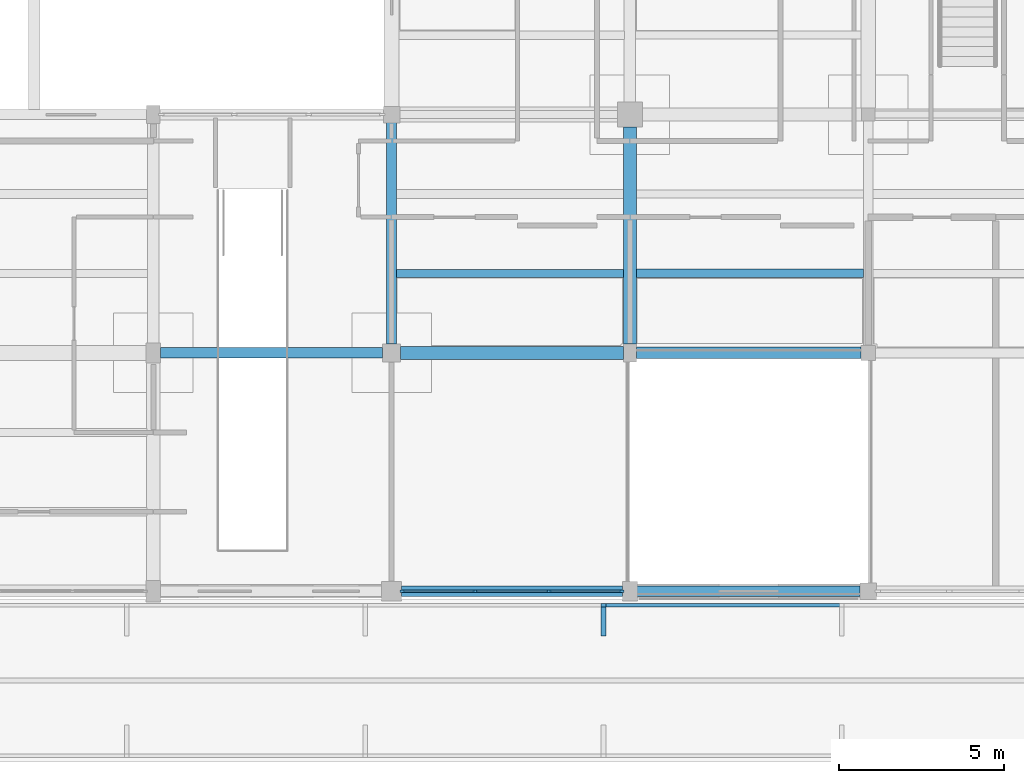
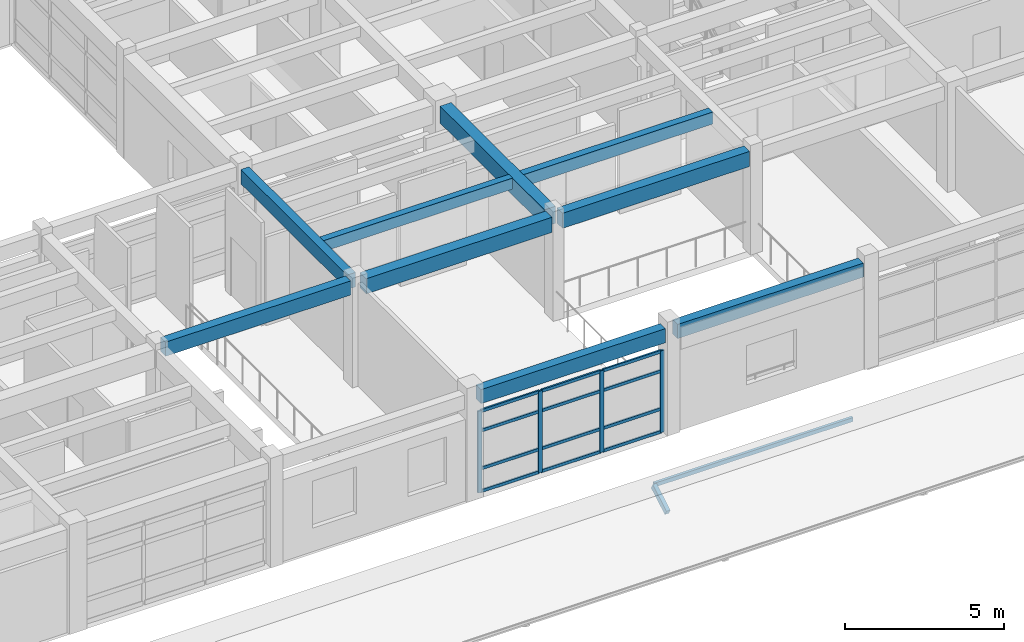
# One storey, part 23 of 110: 18 members, 9 beams, 1 element without a shape of its own.
"""IFC4 building model written with IfcOpenShell, lengths in metres."""

from ifc_helpers import new_model, si_unit, direction, frame, origin, origin_2d, place, context, subcontext, project, spatial, rectangle, hollow_rectangle, extrude, material, material_profile, profile_set, type_object, element, aggregate, save


model = new_model("IFC4")

# Units and contexts
model_context = context("Model", 3, precision=1e-05, world=origin(), true_north=direction((0.0, 1.0)))
body_context = subcontext(model_context, "Body", "Model", "MODEL_VIEW")
ifc_project = project(units=[si_unit("LENGTHUNIT", "METRE"), si_unit("AREAUNIT", "SQUARE_METRE"), si_unit("VOLUMEUNIT", "CUBIC_METRE"), si_unit("PLANEANGLEUNIT", "RADIAN"), si_unit("MASSUNIT", "GRAM", prefix="KILO")], contexts=[model_context])

# Site, building, storey
site_placement = place(None, origin())
site = spatial("IfcSite", under=ifc_project, at=site_placement, CompositionType="ELEMENT")
building_placement = place(site_placement, origin())
building = spatial("IfcBuilding", under=site, at=building_placement, Name="Steenspoor Specialist Clinic", CompositionType="ELEMENT")
storey_placement = place(building_placement, frame((0.0, 0.0, 4.800048828125)))
storey = spatial("IfcBuildingStorey", under=building, at=storey_placement, Name="L01", CompositionType="ELEMENT", Elevation=4.800048828125)

# Beams
ifc_material_1 = material(Name="Concrete C35/45", Category="concrete")
ifc_material_profile_1 = material_profile(ifc_material_1, rectangle(XDim=0.300048828125, YDim=0.550048828125, at=origin_2d()), Name="RC-BM-300X550")
ifc_profile_set_1 = profile_set([ifc_material_profile_1], Name="Concrete C35/45")
beam_type_1 = type_object("IfcBeamType", Name="BM-RC-300X550", PredefinedType="BEAM", material=ifc_profile_set_1)
beam_1_placement = place(storey_placement, frame((74.0, 72.6201171875, 3.675048828125), z_axis=(0.0, 1.0, 0.0), x_axis=(-1.0, 0.0, 0.0)))
element("IfcBeam", 1, at=beam_1_placement, inside=storey, type_object=beam_type_1, Name="BM-V4-L01-Y0537", PredefinedType="BEAM", context=body_context, shape_type="SweptSolid", body=[
    extrude(rectangle(XDim=0.300048828125, YDim=0.550048828125, at=origin_2d()), origin(), (0.0, 0.0, 1.0), 6.684814453125),
])
ifc_material_profile_2 = material_profile(ifc_material_1, rectangle(XDim=0.35009765625, YDim=0.580078125, at=origin_2d()), Name="RC-BM-350X580")
ifc_profile_set_2 = profile_set([ifc_material_profile_2], Name="Concrete C35/45")
beam_type_2 = type_object("IfcBeamType", Name="BM-RC-350X580", PredefinedType="BEAM", material=ifc_profile_set_2)
beam_2_placement = place(storey_placement, frame((81.39501953125, 72.35009765625, 3.659912109375), z_axis=(1.0, 0.0, 0.0), x_axis=(0.0, 1.0, 0.0)))
element("IfcBeam", 2, at=beam_2_placement, inside=storey, type_object=beam_type_2, Name="BM-V4-L01-X0482", PredefinedType="BEAM", context=body_context, shape_type="SweptSolid", body=[
    extrude(rectangle(XDim=0.35009765625, YDim=0.580078125, at=origin_2d()), origin(), (0.0, 0.0, 1.0), 6.784912109375),
])
ifc_material_profile_3 = material_profile(ifc_material_1, rectangle(XDim=0.39990234375, YDim=0.580078125, at=origin_2d()), Name="RC-BM-400X580")
ifc_profile_set_3 = profile_set([ifc_material_profile_3], Name="Concrete C35/45")
beam_type_3 = type_object("IfcBeamType", Name="BM-RC-400X580", PredefinedType="BEAM", material=ifc_profile_set_3)
beam_3_placement = place(storey_placement, frame((74.27001953125, 72.35009765625, 3.659912109375), z_axis=(1.0, 0.0, 0.0), x_axis=(0.0, 1.0, 0.0)))
element("IfcBeam", 3, at=beam_3_placement, inside=storey, type_object=beam_type_3, Name="BM-V4-L01-X0481", PredefinedType="BEAM", context=body_context, shape_type="SweptSolid", body=[
    extrude(rectangle(XDim=0.39990234375, YDim=0.580078125, at=origin_2d()), origin(), (0.0, 0.0, 1.0), 6.73486328125),
])
ifc_material_profile_4 = material_profile(ifc_material_1, rectangle(XDim=0.39990234375, YDim=0.64990234375, at=origin_2d()), Name="RC-BM-400X650")
ifc_profile_set_4 = profile_set([ifc_material_profile_4], Name="Concrete C35/45")
beam_type_4 = type_object("IfcBeamType", Name="BM-RC-400X650", PredefinedType="BEAM", material=ifc_profile_set_4)
beam_4_placement = place(storey_placement, frame((81.199951171875, 72.6201171875, 3.625), z_axis=(0.0, 1.0, 0.0), x_axis=(-1.0, 0.0, 0.0)))
element("IfcBeam", 4, at=beam_4_placement, inside=storey, type_object=beam_type_4, Name="BM-V4-L01-Y0542", PredefinedType="BEAM", context=body_context, shape_type="SweptSolid", body=[
    extrude(rectangle(XDim=0.39990234375, YDim=0.64990234375, at=origin_2d()), origin(), (0.0, 0.0, 1.0), 6.559814453125),
])

# Curtain wall, members
ifc_material_2 = material(Name="Thermally broken aluminium and low-emissivity glass", Category="aluminium")
curtain_wall_type = type_object("IfcCurtainWallType", Name="CW-TYP-300X355", PredefinedType="USERDEFINED", material=ifc_material_2)
curtain_wall_placement = place(storey_placement, origin())
curtain_wall = element("IfcCurtainWall", 5, at=curtain_wall_placement, inside=storey, type_object=curtain_wall_type, Name="Unitised Curtain Wall CW-V4-L01-063", ObjectType="UNITISED GLAZING", PredefinedType="USERDEFINED")
ifc_material_3 = material(Name="Thermally broken aluminium 6063-T6", Category="aluminium")
ifc_material_profile_5 = material_profile(ifc_material_3, rectangle(XDim=0.06494140625, YDim=0.14990234375, at=origin_2d()), Name="CWM-65X150")
ifc_profile_set_5 = profile_set([ifc_material_profile_5], Name="Thermally broken aluminium 6063-T6")
member_type_1 = type_object("IfcMemberType", Name="CW-MULL-65X150", PredefinedType="MULLION", material=ifc_profile_set_5)
member_1_placement = place(storey_placement, frame((80.9423828125, 65.14990234375, 0.0), z_axis=(0.0, 0.0, 1.0), x_axis=(0.0, -1.0, 0.0)))
member_1 = element("IfcMember", 6, at=member_1_placement, type_object=member_type_1, Name="CW-15 mullion 1", PredefinedType="MULLION", context=body_context, shape_type="SweptSolid", body=[
    extrude(rectangle(XDim=0.06494140625, YDim=0.14990234375, at=origin_2d()), origin(), (0.0, 0.0, 1.0), 3.1298828125),
])
member_2_placement = place(storey_placement, frame((78.75, 65.14990234375, 0.0), z_axis=(0.0, 0.0, 1.0), x_axis=(0.0, -1.0, 0.0)))
member_2 = element("IfcMember", 7, at=member_2_placement, type_object=member_type_1, Name="CW-15 mullion 2", PredefinedType="MULLION", context=body_context, shape_type="SweptSolid", body=[
    extrude(rectangle(XDim=0.06494140625, YDim=0.14990234375, at=origin_2d()), origin(), (0.0, 0.0, 1.0), 3.1298828125),
])
member_3_placement = place(storey_placement, frame((76.52490234375, 65.14990234375, 0.0), z_axis=(0.0, 0.0, 1.0), x_axis=(0.0, -1.0, 0.0)))
member_3 = element("IfcMember", 8, at=member_3_placement, type_object=member_type_1, Name="CW-15 mullion 3", PredefinedType="MULLION", context=body_context, shape_type="SweptSolid", body=[
    extrude(rectangle(XDim=0.06494140625, YDim=0.14990234375, at=origin_2d()), origin(), (0.0, 0.0, 1.0), 3.1298828125),
])
member_4_placement = place(storey_placement, frame((74.33251953125, 65.14990234375, 0.0), z_axis=(0.0, 0.0, 1.0), x_axis=(0.0, -1.0, 0.0)))
member_4 = element("IfcMember", 9, at=member_4_placement, type_object=member_type_1, Name="CW-15 mullion 4", PredefinedType="MULLION", context=body_context, shape_type="SweptSolid", body=[
    extrude(rectangle(XDim=0.06494140625, YDim=0.14990234375, at=origin_2d()), origin(), (0.0, 0.0, 1.0), 3.1298828125),
])
ifc_material_profile_6 = material_profile(ifc_material_3, rectangle(XDim=0.06005859375, YDim=0.114990234375, at=origin_2d()), Name="CWT-60X115")
ifc_profile_set_6 = profile_set([ifc_material_profile_6], Name="Thermally broken aluminium 6063-T6")
member_type_2 = type_object("IfcMemberType", Name="CW-TRAN-60X115", PredefinedType="USERDEFINED", material=ifc_profile_set_6)
member_5_placement = place(storey_placement, frame((80.909912109375, 65.14990234375, 0.030029296875), z_axis=(-1.0, 0.0, 0.0), x_axis=(0.0, -1.0, 0.0)))
member_5 = element("IfcMember", 10, at=member_5_placement, type_object=member_type_2, Name="CW-15 transom 1.1", ObjectType="TRANSOM", PredefinedType="USERDEFINED", context=body_context, shape_type="SweptSolid", body=[
    extrude(rectangle(XDim=0.06005859375, YDim=0.114990234375, at=origin_2d()), origin(), (0.0, 0.0, 1.0), 2.12744140625),
])
member_6_placement = place(storey_placement, frame((80.909912109375, 65.14990234375, 0.89990234375), z_axis=(-1.0, 0.0, 0.0), x_axis=(0.0, -1.0, 0.0)))
member_6 = element("IfcMember", 11, at=member_6_placement, type_object=member_type_2, Name="CW-15 transom 1.2", ObjectType="TRANSOM", PredefinedType="USERDEFINED", context=body_context, shape_type="SweptSolid", body=[
    extrude(rectangle(XDim=0.06005859375, YDim=0.114990234375, at=origin_2d()), origin(), (0.0, 0.0, 1.0), 2.12744140625),
])
member_7_placement = place(storey_placement, frame((80.909912109375, 65.14990234375, 2.349853515625), z_axis=(-1.0, 0.0, 0.0), x_axis=(0.0, -1.0, 0.0)))
member_7 = element("IfcMember", 12, at=member_7_placement, type_object=member_type_2, Name="CW-15 transom 1.3", ObjectType="TRANSOM", PredefinedType="USERDEFINED", context=body_context, shape_type="SweptSolid", body=[
    extrude(rectangle(XDim=0.06005859375, YDim=0.114990234375, at=origin_2d()), origin(), (0.0, 0.0, 1.0), 2.12744140625),
])
member_8_placement = place(storey_placement, frame((80.909912109375, 65.14990234375, 3.099853515625), z_axis=(-1.0, 0.0, 0.0), x_axis=(0.0, -1.0, 0.0)))
member_8 = element("IfcMember", 13, at=member_8_placement, type_object=member_type_2, Name="CW-15 transom 1.4", ObjectType="TRANSOM", PredefinedType="USERDEFINED", context=body_context, shape_type="SweptSolid", body=[
    extrude(rectangle(XDim=0.06005859375, YDim=0.114990234375, at=origin_2d()), origin(), (0.0, 0.0, 1.0), 2.12744140625),
])
member_9_placement = place(storey_placement, frame((78.717529296875, 65.14990234375, 0.030029296875), z_axis=(-1.0, 0.0, 0.0), x_axis=(0.0, -1.0, 0.0)))
member_9 = element("IfcMember", 14, at=member_9_placement, type_object=member_type_2, Name="CW-15 transom 2.1", ObjectType="TRANSOM", PredefinedType="USERDEFINED", context=body_context, shape_type="SweptSolid", body=[
    extrude(rectangle(XDim=0.06005859375, YDim=0.114990234375, at=origin_2d()), origin(), (0.0, 0.0, 1.0), 2.159912109375),
])
member_10_placement = place(storey_placement, frame((78.717529296875, 65.14990234375, 0.89990234375), z_axis=(-1.0, 0.0, 0.0), x_axis=(0.0, -1.0, 0.0)))
member_10 = element("IfcMember", 15, at=member_10_placement, type_object=member_type_2, Name="CW-15 transom 2.2", ObjectType="TRANSOM", PredefinedType="USERDEFINED", context=body_context, shape_type="SweptSolid", body=[
    extrude(rectangle(XDim=0.06005859375, YDim=0.114990234375, at=origin_2d()), origin(), (0.0, 0.0, 1.0), 2.159912109375),
])
member_11_placement = place(storey_placement, frame((78.717529296875, 65.14990234375, 2.349853515625), z_axis=(-1.0, 0.0, 0.0), x_axis=(0.0, -1.0, 0.0)))
member_11 = element("IfcMember", 16, at=member_11_placement, type_object=member_type_2, Name="CW-15 transom 2.3", ObjectType="TRANSOM", PredefinedType="USERDEFINED", context=body_context, shape_type="SweptSolid", body=[
    extrude(rectangle(XDim=0.06005859375, YDim=0.114990234375, at=origin_2d()), origin(), (0.0, 0.0, 1.0), 2.159912109375),
])
member_12_placement = place(storey_placement, frame((78.717529296875, 65.14990234375, 3.099853515625), z_axis=(-1.0, 0.0, 0.0), x_axis=(0.0, -1.0, 0.0)))
member_12 = element("IfcMember", 17, at=member_12_placement, type_object=member_type_2, Name="CW-15 transom 2.4", ObjectType="TRANSOM", PredefinedType="USERDEFINED", context=body_context, shape_type="SweptSolid", body=[
    extrude(rectangle(XDim=0.06005859375, YDim=0.114990234375, at=origin_2d()), origin(), (0.0, 0.0, 1.0), 2.159912109375),
])
member_13_placement = place(storey_placement, frame((76.492431640625, 65.14990234375, 0.030029296875), z_axis=(-1.0, 0.0, 0.0), x_axis=(0.0, -1.0, 0.0)))
member_13 = element("IfcMember", 18, at=member_13_placement, type_object=member_type_2, Name="CW-15 transom 3.1", ObjectType="TRANSOM", PredefinedType="USERDEFINED", context=body_context, shape_type="SweptSolid", body=[
    extrude(rectangle(XDim=0.06005859375, YDim=0.114990234375, at=origin_2d()), origin(), (0.0, 0.0, 1.0), 2.12744140625),
])
member_14_placement = place(storey_placement, frame((76.492431640625, 65.14990234375, 0.89990234375), z_axis=(-1.0, 0.0, 0.0), x_axis=(0.0, -1.0, 0.0)))
member_14 = element("IfcMember", 19, at=member_14_placement, type_object=member_type_2, Name="CW-15 transom 3.2", ObjectType="TRANSOM", PredefinedType="USERDEFINED", context=body_context, shape_type="SweptSolid", body=[
    extrude(rectangle(XDim=0.06005859375, YDim=0.114990234375, at=origin_2d()), origin(), (0.0, 0.0, 1.0), 2.12744140625),
])
member_15_placement = place(storey_placement, frame((76.492431640625, 65.14990234375, 2.349853515625), z_axis=(-1.0, 0.0, 0.0), x_axis=(0.0, -1.0, 0.0)))
member_15 = element("IfcMember", 20, at=member_15_placement, type_object=member_type_2, Name="CW-15 transom 3.3", ObjectType="TRANSOM", PredefinedType="USERDEFINED", context=body_context, shape_type="SweptSolid", body=[
    extrude(rectangle(XDim=0.06005859375, YDim=0.114990234375, at=origin_2d()), origin(), (0.0, 0.0, 1.0), 2.12744140625),
])
member_16_placement = place(storey_placement, frame((76.492431640625, 65.14990234375, 3.099853515625), z_axis=(-1.0, 0.0, 0.0), x_axis=(0.0, -1.0, 0.0)))
member_16 = element("IfcMember", 21, at=member_16_placement, type_object=member_type_2, Name="CW-15 transom 3.4", ObjectType="TRANSOM", PredefinedType="USERDEFINED", context=body_context, shape_type="SweptSolid", body=[
    extrude(rectangle(XDim=0.06005859375, YDim=0.114990234375, at=origin_2d()), origin(), (0.0, 0.0, 1.0), 2.12744140625),
])
aggregate(curtain_wall, [member_1, member_2, member_3, member_4, member_5, member_6, member_7, member_8, member_9, member_10, member_11, member_12, member_13, member_14, member_15, member_16])

# Beams
ifc_material_profile_7 = material_profile(ifc_material_1, rectangle(XDim=0.239990234375, YDim=0.419921875, at=origin_2d()), Name="RC-JT-240X420")
ifc_profile_set_7 = profile_set([ifc_material_profile_7], Name="Concrete C35/45")
beam_type_5 = type_object("IfcBeamType", Name="JT-RC-240X420", PredefinedType="JOIST", material=ifc_profile_set_7)
beam_5_placement = place(storey_placement, frame((74.14501953125, 74.75, 3.739990234375), z_axis=(1.0, 0.0, 0.0), x_axis=(0.0, 1.0, 0.0)))
element("IfcBeam", 22, at=beam_5_placement, inside=storey, type_object=beam_type_5, Name="JT-V4-L01-0596", PredefinedType="JOIST", context=body_context, shape_type="SweptSolid", body=[
    extrude(rectangle(XDim=0.239990234375, YDim=0.419921875, at=origin_2d()), origin(), (0.0, 0.0, 1.0), 6.85986328125),
])
ifc_material_profile_8 = material_profile(ifc_material_1, rectangle(XDim=0.260009765625, YDim=0.4599609375, at=origin_2d()), Name="RC-JT-260X460")
ifc_profile_set_8 = profile_set([ifc_material_profile_8], Name="Concrete C35/45")
beam_type_6 = type_object("IfcBeamType", Name="JT-RC-260X460", PredefinedType="JOIST", material=ifc_profile_set_8)
beam_6_placement = place(storey_placement, frame((81.39501953125, 74.75, 3.719970703125), z_axis=(1.0, 0.0, 0.0), x_axis=(0.0, 1.0, 0.0)))
element("IfcBeam", 23, at=beam_6_placement, inside=storey, type_object=beam_type_6, Name="JT-V4-L01-0604", PredefinedType="JOIST", context=body_context, shape_type="SweptSolid", body=[
    extrude(rectangle(XDim=0.260009765625, YDim=0.4599609375, at=origin_2d()), origin(), (0.0, 0.0, 1.0), 6.85986328125),
])

# Members
ifc_material_4 = material(Name="Steel A500 Grade C", Category="steel")
ifc_material_profile_9 = material_profile(ifc_material_4, hollow_rectangle(XDim=0.1015625, YDim=0.15234375, WallThickness=0.005859375, at=origin_2d()), Name="HSS152X102X6.4")
ifc_profile_set_9 = profile_set([ifc_material_profile_9], Name="Steel A500 Grade C")
member_type_3 = type_object("IfcMemberType", Name="MEM-PURLIN-H152", PredefinedType="PURLIN", material=ifc_profile_set_9)
member_17_placement = place(storey_placement, frame((80.39990234375, 64.719970703125, -1.571533203125), z_axis=(1.0, 0.0, 0.0), x_axis=(0.0, 1.0, 0.0)))
element("IfcMember", 24, at=member_17_placement, inside=storey, type_object=member_type_3, Name="Walkway Fascia WK4 594", PredefinedType="PURLIN", context=body_context, shape_type="SweptSolid", body=[
    extrude(hollow_rectangle(XDim=0.1015625, YDim=0.15234375, WallThickness=0.005859375, at=origin_2d()), origin(), (0.0, 0.0, 1.0), 7.2001953125),
])
ifc_material_5 = material(Name="Glulam GL28h", Category="wood")
ifc_material_profile_10 = material_profile(ifc_material_5, rectangle(XDim=0.139892578125, YDim=0.219970703125, at=origin_2d()), Name="GL28H-140X220")
ifc_profile_set_10 = profile_set([ifc_material_profile_10], Name="Glulam GL28h")
member_type_4 = type_object("IfcMemberType", Name="MEM-RAFTER-GL220", PredefinedType="RAFTER", material=ifc_profile_set_10)
member_18_placement = place(storey_placement, frame((80.39990234375, 63.85009765625, -2.114990234375), z_axis=(0.0, 0.865930570761, 0.500164219654), x_axis=(-1.0, 0.0, 0.0)))
element("IfcMember", 25, at=member_18_placement, inside=storey, type_object=member_type_4, Name="Walkway Eave Outrigger WK4 416", PredefinedType="RAFTER", context=body_context, shape_type="SweptSolid", body=[
    extrude(rectangle(XDim=0.139892578125, YDim=0.219970703125, at=origin_2d()), origin(), (0.0, 0.0, 1.0), 1.004638671875),
])

# Beams
ifc_material_profile_11 = material_profile(ifc_material_1, rectangle(XDim=0.320068359375, YDim=0.5400390625, at=origin_2d()), Name="RC-SP-320X540")
ifc_profile_set_11 = profile_set([ifc_material_profile_11], Name="Concrete C35/45")
beam_type_7 = type_object("IfcBeamType", Name="SP-RC-320X540", PredefinedType="SPANDREL", material=ifc_profile_set_11)
beam_7_placement = place(storey_placement, frame((74.294921875, 65.14990234375, 3.764892578125), z_axis=(1.0, 0.0, 0.0), x_axis=(0.0, 1.0, 0.0)))
element("IfcBeam", 26, at=beam_7_placement, inside=storey, type_object=beam_type_7, Name="BMTIER-V4-L01-X03-00", PredefinedType="SPANDREL", context=body_context, shape_type="SweptSolid", body=[
    extrude(rectangle(XDim=0.320068359375, YDim=0.5400390625, at=origin_2d()), origin(), (0.0, 0.0, 1.0), 6.68505859375),
])
beam_8_placement = place(storey_placement, frame((81.419921875, 65.14990234375, 3.764892578125), z_axis=(1.0, 0.0, 0.0), x_axis=(0.0, 1.0, 0.0)))
element("IfcBeam", 27, at=beam_8_placement, inside=storey, type_object=beam_type_7, Name="BMTIER-V4-L01-X04-00", PredefinedType="SPANDREL", context=body_context, shape_type="SweptSolid", body=[
    extrude(rectangle(XDim=0.320068359375, YDim=0.5400390625, at=origin_2d()), origin(), (0.0, 0.0, 1.0), 6.735107421875),
])
beam_9_placement = place(storey_placement, frame((67.02001953125, 72.35009765625, 3.764892578125), z_axis=(1.0, 0.0, 0.0), x_axis=(0.0, 1.0, 0.0)))
element("IfcBeam", 28, at=beam_9_placement, inside=storey, type_object=beam_type_7, Name="BMTIER-V4-L01-X02-01", PredefinedType="SPANDREL", context=body_context, shape_type="SweptSolid", body=[
    extrude(rectangle(XDim=0.320068359375, YDim=0.5400390625, at=origin_2d()), origin(), (0.0, 0.0, 1.0), 6.7099609375),
])

save(model, "model.ifc")
